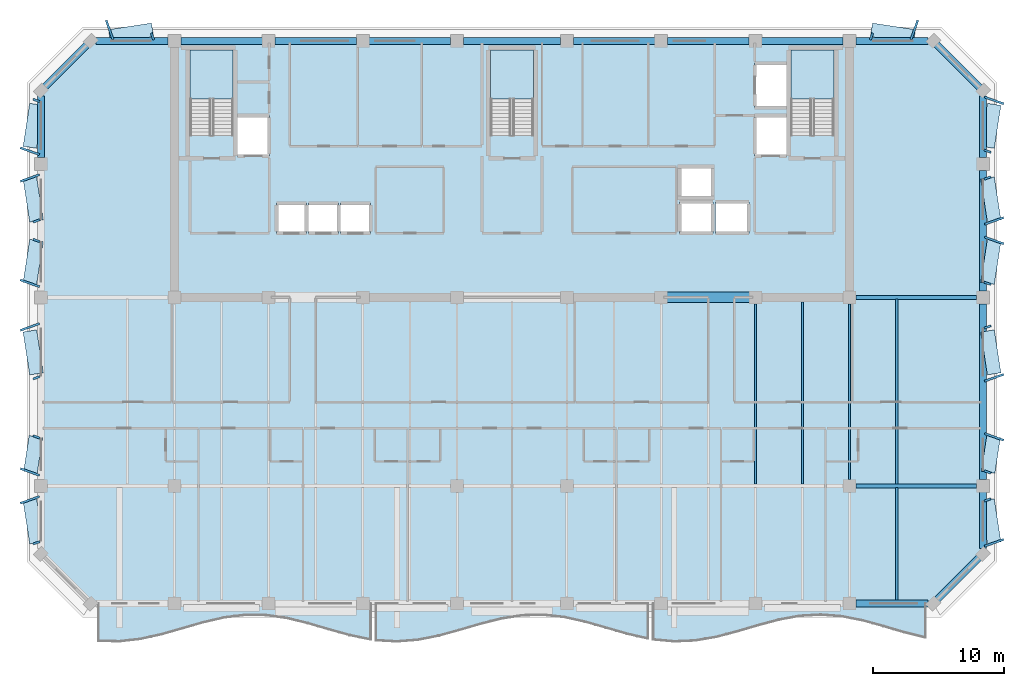
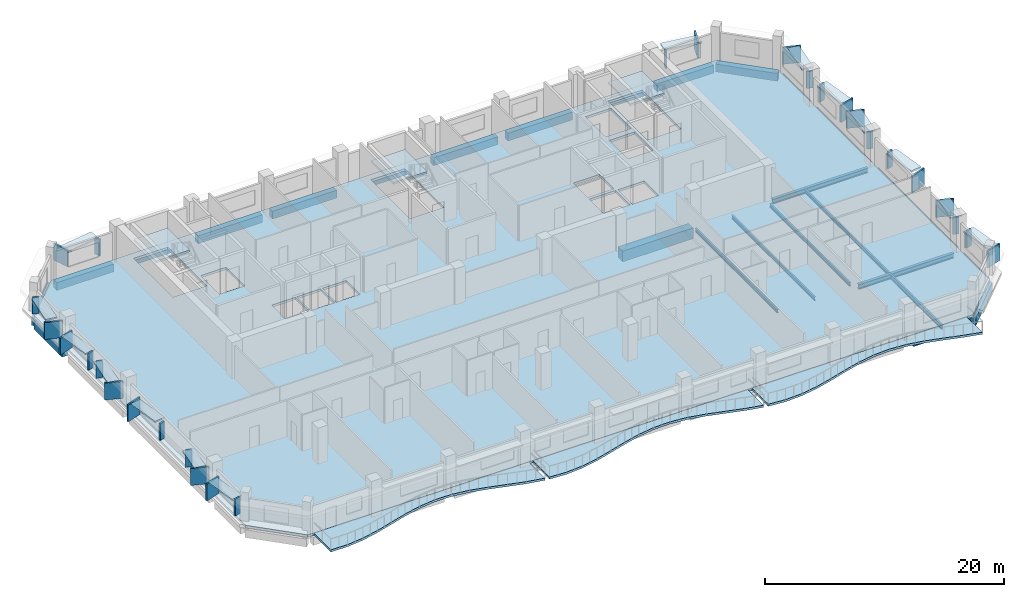
# One storey, part 2 of 11: 42 plates, 26 beams, 7 slabs, 3 elements without a shape of their own.
"""IFC4 building model written with IfcOpenShell, lengths in metres."""

from ifc_helpers import new_model, si_unit, direction, frame, origin, origin_2d, place, context, subcontext, project, spatial, polyline, rectangle, i_section, outline, extrude, material, layer, layer_set, material_profile, profile_set, type_object, element, aggregate, save


model = new_model("IFC4")

# Units and contexts
model_context = context("Model", 3, precision=1e-05, world=origin(), true_north=direction((0.0, 1.0)))
body_context = subcontext(model_context, "Body", "Model", "MODEL_VIEW")
ifc_project = project(units=[si_unit("LENGTHUNIT", "METRE"), si_unit("AREAUNIT", "SQUARE_METRE"), si_unit("VOLUMEUNIT", "CUBIC_METRE"), si_unit("PLANEANGLEUNIT", "RADIAN"), si_unit("MASSUNIT", "GRAM", prefix="KILO")], contexts=[model_context])

# Site, building, storey
site_placement = place(None, origin())
site = spatial("IfcSite", under=ifc_project, at=site_placement, CompositionType="ELEMENT")
building_placement = place(site_placement, origin())
building = spatial("IfcBuilding", under=site, at=building_placement, Name="Kaelvorn Grand Hotel", CompositionType="ELEMENT")
storey_placement = place(building_placement, frame((0.0, 0.0, 248.89990234375)))
storey = spatial("IfcBuildingStorey", under=building, at=storey_placement, Name="L61", CompositionType="ELEMENT", Elevation=248.89990234375)

# Beams
ifc_material_1 = material(Name="Steel S355", Category="steel")
ifc_material_profile_1 = material_profile(ifc_material_1, i_section(OverallWidth=0.300048828125, OverallDepth=0.5, WebThickness=0.014404296875, FlangeThickness=0.028076171875, FilletRadius=0.027099609375, at=origin_2d()), Name="HEB 500")
ifc_profile_set_1 = profile_set([ifc_material_profile_1], Name="Steel S355")
beam_type_1 = type_object("IfcBeamType", Name="BM-G-HEB500-S355", PredefinedType="BEAM", material=ifc_profile_set_1)
for number, where, z_axis, x_axis, name in (
    (1, (68.284912109375, 15.0, -0.489990234375), (1.0, 0.0, 0.0), (0.0, 1.0, 0.0), "L61 Primary Spine Steel Girder G-15 05"),
    (2, (68.284912109375, 29.39990234375, -0.489990234375), (1.0, 0.0, 0.0), (0.0, 1.0, 0.0), "L61 East Core Wing Steel Girder G-29E 01"),
):
    element("IfcBeam", number, at=place(storey_placement, frame(where, z_axis=z_axis, x_axis=x_axis)), inside=storey, type_object=beam_type_1, Name=name, PredefinedType="BEAM", context=body_context, shape_type="SweptSolid", body=[
        extrude(i_section(OverallWidth=0.300048828125, OverallDepth=0.5, WebThickness=0.014404296875, FlangeThickness=0.028076171875, FilletRadius=0.027099609375, at=origin_2d()), origin(), (0.0, 0.0, 1.0), 9.22998046875),
    ])
ifc_material_profile_2 = material_profile(ifc_material_1, i_section(OverallWidth=0.169921875, OverallDepth=0.360107421875, WebThickness=0.008056640625, FlangeThickness=0.0126953125, FilletRadius=0.01806640625, at=origin_2d()), Name="IPE 360")
ifc_profile_set_2 = profile_set([ifc_material_profile_2], Name="Steel S355")
beam_type_2 = type_object("IfcBeamType", Name="BM-J-IPE360-S355", PredefinedType="JOIST", material=ifc_profile_set_2)
beam_1_placement = place(storey_placement, frame((60.60009765625, 15.135009765625, -0.419921875), z_axis=(0.0, 1.0, 0.0), x_axis=(-1.0, 0.0, 0.0)))
element("IfcBeam", 3, at=beam_1_placement, inside=storey, type_object=beam_type_2, Name="L61 Composite Floor Joist JM-17", PredefinedType="JOIST", context=body_context, shape_type="SweptSolid", body=[
    extrude(i_section(OverallWidth=0.169921875, OverallDepth=0.360107421875, WebThickness=0.008056640625, FlangeThickness=0.0126953125, FilletRadius=0.01806640625, at=origin_2d()), origin(), (0.0, 0.0, 1.0), 13.780029296875),
])
beam_2_placement = place(storey_placement, frame((64.199951171875, 15.135009765625, -0.419921875), z_axis=(0.0, 1.0, 0.0), x_axis=(-1.0, 0.0, 0.0)))
element("IfcBeam", 4, at=beam_2_placement, inside=storey, type_object=beam_type_2, Name="L61 Composite Floor Joist JM-18", PredefinedType="JOIST", context=body_context, shape_type="SweptSolid", body=[
    extrude(i_section(OverallWidth=0.169921875, OverallDepth=0.360107421875, WebThickness=0.008056640625, FlangeThickness=0.0126953125, FilletRadius=0.01806640625, at=origin_2d()), origin(), (0.0, 0.0, 1.0), 13.925048828125),
])
beam_3_placement = place(storey_placement, frame((67.800048828125, 15.485107421875, -0.419921875), z_axis=(0.0, 1.0, 0.0), x_axis=(-1.0, 0.0, 0.0)))
element("IfcBeam", 5, at=beam_3_placement, inside=storey, type_object=beam_type_2, Name="L61 Composite Floor Joist JM-19", PredefinedType="JOIST", context=body_context, shape_type="SweptSolid", body=[
    extrude(i_section(OverallWidth=0.169921875, OverallDepth=0.360107421875, WebThickness=0.008056640625, FlangeThickness=0.0126953125, FilletRadius=0.01806640625, at=origin_2d()), origin(), (0.0, 0.0, 1.0), 13.429931640625),
])
beam_4_placement = place(storey_placement, frame((71.39990234375, 15.135009765625, -0.419921875), z_axis=(0.0, 1.0, 0.0), x_axis=(-1.0, 0.0, 0.0)))
element("IfcBeam", 6, at=beam_4_placement, inside=storey, type_object=beam_type_2, Name="L61 Composite Floor Joist JM-20", PredefinedType="JOIST", context=body_context, shape_type="SweptSolid", body=[
    extrude(i_section(OverallWidth=0.169921875, OverallDepth=0.360107421875, WebThickness=0.008056640625, FlangeThickness=0.0126953125, FilletRadius=0.01806640625, at=origin_2d()), origin(), (0.0, 0.0, 1.0), 14.1298828125),
])
ifc_material_profile_3 = material_profile(ifc_material_1, i_section(OverallWidth=0.18994140625, OverallDepth=0.449951171875, WebThickness=0.009521484375, FlangeThickness=0.0146484375, FilletRadius=0.02099609375, at=origin_2d()), Name="IPE 450")
ifc_profile_set_3 = profile_set([ifc_material_profile_3], Name="Steel S355")
beam_type_3 = type_object("IfcBeamType", Name="BM-J-IPE450-S355", PredefinedType="JOIST", material=ifc_profile_set_3)
beam_5_placement = place(storey_placement, frame((71.39990234375, 6.260009765625, -0.46484375), z_axis=(0.0, 1.0, 0.0), x_axis=(-1.0, 0.0, 0.0)))
element("IfcBeam", 7, at=beam_5_placement, inside=storey, type_object=beam_type_3, Name="L61 Composite Floor Joist JS-20", PredefinedType="JOIST", context=body_context, shape_type="SweptSolid", body=[
    extrude(i_section(OverallWidth=0.18994140625, OverallDepth=0.449951171875, WebThickness=0.009521484375, FlangeThickness=0.0146484375, FilletRadius=0.02099609375, at=origin_2d()), origin(), (0.0, 0.0, 1.0), 8.60498046875),
])
ifc_material_2 = material(Name="Concrete C60/75", Category="concrete")
ifc_material_profile_4 = material_profile(ifc_material_2, rectangle(XDim=0.800048828125, YDim=1.10009765625, at=origin_2d()), Name="RC LINTEL 800x1100")
ifc_profile_set_4 = profile_set([ifc_material_profile_4], Name="Concrete C60/75")
beam_type_4 = type_object("IfcBeamType", Name="BM-LIN-800x1100-C60", PredefinedType="LINTEL", material=ifc_profile_set_4)
beam_6_placement = place(storey_placement, frame((53.580078125, 29.39990234375, -0.789794921875), z_axis=(1.0, 0.0, 0.0), x_axis=(0.0, 1.0, 0.0)))
element("IfcBeam", 8, at=beam_6_placement, inside=storey, type_object=beam_type_4, Name="L61 Rear-Core Coupling Lintel Beam CB1-03", PredefinedType="LINTEL", context=body_context, shape_type="SweptSolid", body=[
    extrude(rectangle(XDim=0.800048828125, YDim=1.10009765625, at=origin_2d()), origin(), (0.0, 0.0, 1.0), 6.83984375),
])
ifc_material_3 = material(Name="Concrete C50/60", Category="concrete")
ifc_material_profile_5 = material_profile(ifc_material_3, rectangle(XDim=0.550048828125, YDim=0.800048828125, at=origin_2d()), Name="RC SPANDREL 550x800")
ifc_profile_set_5 = profile_set([ifc_material_profile_5], Name="Concrete C50/60")
beam_type_5 = type_object("IfcBeamType", Name="BM-SP-550x800-C50", PredefinedType="SPANDREL", material=ifc_profile_set_5)
for number, where, z_axis, x_axis, name in (
    (9, (68.284912109375, 6.0, -0.639892578125), (1.0, 0.0, 0.0), (0.0, 1.0, 0.0), "L61 South Perimeter Spandrel 09"),
    (10, (10.205078125, 49.0, -0.639892578125), (1.0, 0.0, 0.0), (0.0, 1.0, 0.0), "L61 North Perimeter Spandrel 01"),
):
    element("IfcBeam", number, at=place(storey_placement, frame(where, z_axis=z_axis, x_axis=x_axis)), inside=storey, type_object=beam_type_5, Name=name, PredefinedType="SPANDREL", context=body_context, shape_type="SweptSolid", body=[
        extrude(rectangle(XDim=0.550048828125, YDim=0.800048828125, at=origin_2d()), origin(), (0.0, 0.0, 1.0), 5.510009765625),
    ])
for number, where, z_axis, x_axis, name in (
    (11, (16.68505859375, 49.0, -0.639892578125), (1.0, 0.0, 0.0), (0.0, 1.0, 0.0), "L61 North Perimeter Spandrel 02"),
    (12, (23.885009765625, 49.0, -0.639892578125), (1.0, 0.0, 0.0), (0.0, 1.0, 0.0), "L61 North Perimeter Spandrel 03"),
    (13, (31.0849609375, 49.0, -0.639892578125), (1.0, 0.0, 0.0), (0.0, 1.0, 0.0), "L61 North Perimeter Spandrel 04"),
):
    element("IfcBeam", number, at=place(storey_placement, frame(where, z_axis=z_axis, x_axis=x_axis)), inside=storey, type_object=beam_type_5, Name=name, PredefinedType="SPANDREL", context=body_context, shape_type="SweptSolid", body=[
        extrude(rectangle(XDim=0.550048828125, YDim=0.800048828125, at=origin_2d()), origin(), (0.0, 0.0, 1.0), 6.22998046875),
    ])
beam_7_placement = place(storey_placement, frame((38.284912109375, 49.0, -0.639892578125), z_axis=(1.0, 0.0, 0.0), x_axis=(0.0, 1.0, 0.0)))
element("IfcBeam", 14, at=beam_7_placement, inside=storey, type_object=beam_type_5, Name="L61 North Perimeter Spandrel 05", PredefinedType="SPANDREL", context=body_context, shape_type="SweptSolid", body=[
    extrude(rectangle(XDim=0.550048828125, YDim=0.800048828125, at=origin_2d()), origin(), (0.0, 0.0, 1.0), 7.43017578125),
])
for number, where, z_axis, x_axis, name in (
    (15, (46.68505859375, 49.0, -0.639892578125), (1.0, 0.0, 0.0), (0.0, 1.0, 0.0), "L61 North Perimeter Spandrel 06"),
    (16, (53.885009765625, 49.0, -0.639892578125), (1.0, 0.0, 0.0), (0.0, 1.0, 0.0), "L61 North Perimeter Spandrel 07"),
    (17, (61.0849609375, 49.0, -0.639892578125), (1.0, 0.0, 0.0), (0.0, 1.0, 0.0), "L61 North Perimeter Spandrel 08"),
):
    element("IfcBeam", number, at=place(storey_placement, frame(where, z_axis=z_axis, x_axis=x_axis)), inside=storey, type_object=beam_type_5, Name=name, PredefinedType="SPANDREL", context=body_context, shape_type="SweptSolid", body=[
        extrude(rectangle(XDim=0.550048828125, YDim=0.800048828125, at=origin_2d()), origin(), (0.0, 0.0, 1.0), 6.22998046875),
    ])
beam_8_placement = place(storey_placement, frame((68.284912109375, 49.0, -0.639892578125), z_axis=(1.0, 0.0, 0.0), x_axis=(0.0, 1.0, 0.0)))
element("IfcBeam", 18, at=beam_8_placement, inside=storey, type_object=beam_type_5, Name="L61 North Perimeter Spandrel 09", PredefinedType="SPANDREL", context=body_context, shape_type="SweptSolid", body=[
    extrude(rectangle(XDim=0.550048828125, YDim=0.800048828125, at=origin_2d()), origin(), (0.0, 0.0, 1.0), 5.510009765625),
])
beam_9_placement = place(storey_placement, frame((6.0, 40.0849609375, -0.639892578125), z_axis=(0.0, 1.0, 0.0), x_axis=(-1.0, 0.0, 0.0)))
element("IfcBeam", 19, at=beam_9_placement, inside=storey, type_object=beam_type_5, Name="L61 West Perimeter Spandrel 04", PredefinedType="SPANDREL", context=body_context, shape_type="SweptSolid", body=[
    extrude(rectangle(XDim=0.550048828125, YDim=0.800048828125, at=origin_2d()), origin(), (0.0, 0.0, 1.0), 4.7099609375),
])
beam_10_placement = place(storey_placement, frame((78.0, 10.205078125, -0.639892578125), z_axis=(0.0, 1.0, 0.0), x_axis=(-1.0, 0.0, 0.0)))
element("IfcBeam", 20, at=beam_10_placement, inside=storey, type_object=beam_type_5, Name="L61 East Perimeter Spandrel 01", PredefinedType="SPANDREL", context=body_context, shape_type="SweptSolid", body=[
    extrude(rectangle(XDim=0.550048828125, YDim=0.800048828125, at=origin_2d()), origin(), (0.0, 0.0, 1.0), 4.309814453125),
])
beam_11_placement = place(storey_placement, frame((78.0, 15.485107421875, -0.639892578125), z_axis=(0.0, 1.0, 0.0), x_axis=(-1.0, 0.0, 0.0)))
element("IfcBeam", 21, at=beam_11_placement, inside=storey, type_object=beam_type_5, Name="L61 East Perimeter Spandrel 02", PredefinedType="SPANDREL", context=body_context, shape_type="SweptSolid", body=[
    extrude(rectangle(XDim=0.550048828125, YDim=0.800048828125, at=origin_2d()), origin(), (0.0, 0.0, 1.0), 13.429931640625),
])
beam_12_placement = place(storey_placement, frame((78.0, 29.885009765625, -0.639892578125), z_axis=(0.0, 1.0, 0.0), x_axis=(-1.0, 0.0, 0.0)))
element("IfcBeam", 22, at=beam_12_placement, inside=storey, type_object=beam_type_5, Name="L61 East Perimeter Spandrel 03", PredefinedType="SPANDREL", context=body_context, shape_type="SweptSolid", body=[
    extrude(rectangle(XDim=0.550048828125, YDim=0.800048828125, at=origin_2d()), origin(), (0.0, 0.0, 1.0), 9.22998046875),
])
beam_13_placement = place(storey_placement, frame((78.0, 40.0849609375, -0.639892578125), z_axis=(0.0, 1.0, 0.0), x_axis=(-1.0, 0.0, 0.0)))
element("IfcBeam", 23, at=beam_13_placement, inside=storey, type_object=beam_type_5, Name="L61 East Perimeter Spandrel 04", PredefinedType="SPANDREL", context=body_context, shape_type="SweptSolid", body=[
    extrude(rectangle(XDim=0.550048828125, YDim=0.800048828125, at=origin_2d()), origin(), (0.0, 0.0, 1.0), 4.7099609375),
])
for number, where, z_axis, x_axis, name in (
    (24, (74.199951171875, 6.0, -0.639892578125), (0.707106781187, 0.707106781187, 0.0), (-0.707106781187, 0.707106781187, 0.0), "L61 Chamfer Spandrel Beam 1"),
    (25, (78.0, 45.199951171875, -0.639892578125), (-0.707106781187, 0.707106781187, 0.0), (-0.707106781187, -0.707106781187, 0.0), "L61 Chamfer Spandrel Beam 2"),
    (26, (9.800048828125, 49.0, -0.639892578125), (-0.707106781187, -0.707106781187, 0.0), (0.707106781187, -0.707106781187, 0.0), "L61 Chamfer Spandrel Beam 3"),
):
    element("IfcBeam", number, at=place(storey_placement, frame(where, z_axis=z_axis, x_axis=x_axis)), inside=storey, type_object=beam_type_5, Name=name, PredefinedType="SPANDREL", context=body_context, shape_type="SweptSolid", body=[
        extrude(rectangle(XDim=0.550048828125, YDim=0.800048828125, at=origin_2d()), origin(), (0.0, 0.0, 1.0), 5.3740234375),
    ])

# Plates
ifc_material_4 = material(Name="Precast concrete C45/55", Category="concrete")
ifc_layer_1 = layer(ifc_material_4, 0.159912109375)
ifc_layer_set_1 = layer_set([ifc_layer_1], Name="Precast concrete C45/55")
plate_type_1 = type_object("IfcPlateType", Name="PL-FRAME-DEEP-1550", PredefinedType="USERDEFINED", material=ifc_layer_set_1)
for number, where, z_axis, x_axis, name in (
    (27, (78.844970703125, 10.64501953125, 0.740234375), (0.0, 0.0, 1.0), (-0.333806859234, 0.942641491092, 0.0), "L61 Tilted Precast Window Frame Fin L-E01"),
    (28, (78.844970703125, 18.739990234375, 0.740234375), (0.0, 0.0, 1.0), (0.333806859234, 0.942641491092, 0.0), "L61 Tilted Precast Window Frame Fin R-E02"),
    (29, (78.844970703125, 23.260009765625, 0.81494140625), (0.0, 0.0, 1.0), (-0.333806859234, 0.942641491092, 0.0), "L61 Tilted Precast Window Frame Fin L-E03"),
    (30, (78.844970703125, 33.7548828125, 0.740234375), (0.0, 0.0, 1.0), (0.333806859234, 0.942641491092, 0.0), "L61 Tilted Precast Window Frame Fin R-E04"),
    (31, (78.844970703125, 35.2451171875, 0.740234375), (0.0, 0.0, 1.0), (-0.333806859234, 0.942641491092, 0.0), "L61 Tilted Precast Window Frame Fin L-E05"),
    (32, (78.844970703125, 44.455078125, 0.81494140625), (0.0, 0.0, 1.0), (0.333806859234, 0.942641491092, 0.0), "L61 Tilted Precast Window Frame Fin R-E06"),
    (33, (5.155029296875, 13.925048828125, 0.740234375), (0.0, 0.0, 1.0), (-0.333806859234, 0.942641491092, 0.0), "L61 Tilted Precast Window Frame Fin R-W01"),
    (34, (5.155029296875, 16.06005859375, 0.740234375), (0.0, 0.0, 1.0), (0.333806859234, 0.942641491092, 0.0), "L61 Tilted Precast Window Frame Fin L-W02"),
    (35, (5.155029296875, 27.139892578125, 0.81494140625), (0.0, 0.0, 1.0), (-0.333806859234, 0.942641491092, 0.0), "L61 Tilted Precast Window Frame Fin R-W03"),
    (36, (5.155029296875, 30.47509765625, 0.740234375), (0.0, 0.0, 1.0), (0.333806859234, 0.942641491092, 0.0), "L61 Tilted Precast Window Frame Fin L-W04"),
    (37, (5.155029296875, 38.52490234375, 0.740234375), (0.0, 0.0, 1.0), (-0.333806859234, 0.942641491092, 0.0), "L61 Tilted Precast Window Frame Fin R-W05"),
    (38, (5.155029296875, 40.574951171875, 0.81494140625), (0.0, 0.0, 1.0), (0.333806859234, 0.942641491092, 0.0), "L61 Tilted Precast Window Frame Fin L-W06"),
    (39, (11.2451171875, 49.844970703125, 0.740234375), (0.0, 0.0, 1.0), (0.942641491092, 0.333806859234, 0.0), "L61 Tilted Precast Window Frame Fin L-N01"),
    (40, (72.7548828125, 49.844970703125, 0.740234375), (0.0, 0.0, 1.0), (0.942641491092, -0.333806859234, 0.0), "L61 Tilted Precast Window Frame Fin R-N02"),
):
    element("IfcPlate", number, at=place(storey_placement, frame(where, z_axis=z_axis, x_axis=x_axis)), inside=storey, type_object=plate_type_1, Name=name, ObjectType="FLANGE_PLATE", PredefinedType="USERDEFINED", context=body_context, shape_type="SweptSolid", body=[
        extrude(rectangle(XDim=0.159912109375, YDim=1.550048828125, at=origin_2d()), origin(), (0.0, 0.0, 1.0), 1.719970703125),
    ])
ifc_layer_2 = layer(ifc_material_4, 0.159912109375)
ifc_layer_set_2 = layer_set([ifc_layer_2], Name="Precast concrete C45/55")
plate_type_2 = type_object("IfcPlateType", Name="PL-FRAME-HEAD-1050", PredefinedType="USERDEFINED", material=ifc_layer_set_2)
plate_1_placement = place(storey_placement, frame((78.594970703125, 12.284912109375, 2.35009765625), z_axis=(0.0, 0.0, 1.0), x_axis=(-0.152554625759, 0.988295040036, 0.0)))
element("IfcPlate", 41, at=plate_1_placement, inside=storey, type_object=plate_type_2, Name="L61 Precast Window Frame Head Hood H-E01", ObjectType="FLANGE_PLATE", PredefinedType="USERDEFINED", context=body_context, shape_type="SweptSolid", body=[
    extrude(rectangle(XDim=3.320068359375, YDim=1.050048828125, at=origin_2d()), origin(), (0.0, 0.0, 1.0), 0.159912109375),
])
plate_2_placement = place(storey_placement, frame((78.594970703125, 17.39990234375, 2.35009765625), z_axis=(0.0, 0.0, 1.0), x_axis=(0.152554625759, 0.988295040036, 0.0)))
element("IfcPlate", 42, at=plate_2_placement, inside=storey, type_object=plate_type_2, Name="L61 Precast Window Frame Head Hood H-E02", ObjectType="FLANGE_PLATE", PredefinedType="USERDEFINED", context=body_context, shape_type="SweptSolid", body=[
    extrude(rectangle(XDim=2.760009765625, YDim=1.050048828125, at=origin_2d()), origin(), (0.0, 0.0, 1.0), 0.159912109375),
])
for number, where, z_axis, x_axis, name in (
    (43, (78.594970703125, 25.199951171875, 2.5), (0.0, 0.0, 1.0), (-0.152554625759, 0.988295040036, 0.0), "L61 Precast Window Frame Head Hood H-E03"),
    (44, (78.594970703125, 32.114990234375, 2.35009765625), (0.0, 0.0, 1.0), (0.152554625759, 0.988295040036, 0.0), "L61 Precast Window Frame Head Hood H-E04"),
    (45, (78.594970703125, 36.885009765625, 2.35009765625), (0.0, 0.0, 1.0), (-0.152554625759, 0.988295040036, 0.0), "L61 Precast Window Frame Head Hood H-E05"),
    (46, (78.594970703125, 42.514892578125, 2.5), (0.0, 0.0, 1.0), (0.152554625759, 0.988295040036, 0.0), "L61 Precast Window Frame Head Hood H-E06"),
    (47, (5.405029296875, 12.284912109375, 2.35009765625), (0.0, 0.0, 1.0), (-0.152554625759, 0.988295040036, 0.0), "L61 Precast Window Frame Head Hood H-W01"),
):
    element("IfcPlate", number, at=place(storey_placement, frame(where, z_axis=z_axis, x_axis=x_axis)), inside=storey, type_object=plate_type_2, Name=name, ObjectType="FLANGE_PLATE", PredefinedType="USERDEFINED", context=body_context, shape_type="SweptSolid", body=[
        extrude(rectangle(XDim=3.320068359375, YDim=1.050048828125, at=origin_2d()), origin(), (0.0, 0.0, 1.0), 0.159912109375),
    ])
plate_3_placement = place(storey_placement, frame((5.405029296875, 17.39990234375, 2.35009765625), z_axis=(0.0, 0.0, 1.0), x_axis=(0.152554625759, 0.988295040036, 0.0)))
element("IfcPlate", 48, at=plate_3_placement, inside=storey, type_object=plate_type_2, Name="L61 Precast Window Frame Head Hood H-W02", ObjectType="FLANGE_PLATE", PredefinedType="USERDEFINED", context=body_context, shape_type="SweptSolid", body=[
    extrude(rectangle(XDim=2.760009765625, YDim=1.050048828125, at=origin_2d()), origin(), (0.0, 0.0, 1.0), 0.159912109375),
])
for number, where, z_axis, x_axis, name in (
    (49, (5.405029296875, 25.199951171875, 2.5), (0.0, 0.0, 1.0), (-0.152554625759, 0.988295040036, 0.0), "L61 Precast Window Frame Head Hood H-W03"),
    (50, (5.405029296875, 32.114990234375, 2.35009765625), (0.0, 0.0, 1.0), (0.152554625759, 0.988295040036, 0.0), "L61 Precast Window Frame Head Hood H-W04"),
    (51, (5.405029296875, 36.885009765625, 2.35009765625), (0.0, 0.0, 1.0), (-0.152554625759, 0.988295040036, 0.0), "L61 Precast Window Frame Head Hood H-W05"),
    (52, (5.405029296875, 42.514892578125, 2.5), (0.0, 0.0, 1.0), (0.152554625759, 0.988295040036, 0.0), "L61 Precast Window Frame Head Hood H-W06"),
    (53, (12.885009765625, 49.594970703125, 2.35009765625), (0.0, 0.0, 1.0), (0.988295040036, 0.152554625759, 0.0), "L61 Precast Window Frame Head Hood H-N01"),
    (54, (71.114990234375, 49.594970703125, 2.35009765625), (0.0, 0.0, 1.0), (0.988295040036, -0.152554625759, 0.0), "L61 Precast Window Frame Head Hood H-N02"),
):
    element("IfcPlate", number, at=place(storey_placement, frame(where, z_axis=z_axis, x_axis=x_axis)), inside=storey, type_object=plate_type_2, Name=name, ObjectType="FLANGE_PLATE", PredefinedType="USERDEFINED", context=body_context, shape_type="SweptSolid", body=[
        extrude(rectangle(XDim=3.320068359375, YDim=1.050048828125, at=origin_2d()), origin(), (0.0, 0.0, 1.0), 0.159912109375),
    ])
ifc_layer_3 = layer(ifc_material_4, 0.159912109375)
ifc_layer_set_3 = layer_set([ifc_layer_3], Name="Precast concrete C45/55")
plate_type_3 = type_object("IfcPlateType", Name="PL-FRAME-SHAL-550", PredefinedType="USERDEFINED", material=ifc_layer_set_3)
for number, where, z_axis, x_axis, name in (
    (55, (78.344970703125, 13.925048828125, 0.740234375), (0.0, 0.0, 1.0), (-0.333806859234, 0.942641491092, 0.0), "L61 Tilted Precast Window Frame Fin R-E01"),
    (56, (78.344970703125, 16.06005859375, 0.740234375), (0.0, 0.0, 1.0), (0.333806859234, 0.942641491092, 0.0), "L61 Tilted Precast Window Frame Fin L-E02"),
    (57, (78.344970703125, 27.139892578125, 0.81494140625), (0.0, 0.0, 1.0), (-0.333806859234, 0.942641491092, 0.0), "L61 Tilted Precast Window Frame Fin R-E03"),
    (58, (78.344970703125, 30.47509765625, 0.740234375), (0.0, 0.0, 1.0), (0.333806859234, 0.942641491092, 0.0), "L61 Tilted Precast Window Frame Fin L-E04"),
    (59, (78.344970703125, 38.52490234375, 0.740234375), (0.0, 0.0, 1.0), (-0.333806859234, 0.942641491092, 0.0), "L61 Tilted Precast Window Frame Fin R-E05"),
    (60, (78.344970703125, 40.574951171875, 0.81494140625), (0.0, 0.0, 1.0), (0.333806859234, 0.942641491092, 0.0), "L61 Tilted Precast Window Frame Fin L-E06"),
    (61, (5.655029296875, 10.64501953125, 0.740234375), (0.0, 0.0, 1.0), (-0.333806859234, 0.942641491092, 0.0), "L61 Tilted Precast Window Frame Fin L-W01"),
    (62, (5.655029296875, 18.739990234375, 0.740234375), (0.0, 0.0, 1.0), (0.333806859234, 0.942641491092, 0.0), "L61 Tilted Precast Window Frame Fin R-W02"),
    (63, (5.655029296875, 23.260009765625, 0.81494140625), (0.0, 0.0, 1.0), (-0.333806859234, 0.942641491092, 0.0), "L61 Tilted Precast Window Frame Fin L-W03"),
    (64, (5.655029296875, 33.7548828125, 0.740234375), (0.0, 0.0, 1.0), (0.333806859234, 0.942641491092, 0.0), "L61 Tilted Precast Window Frame Fin R-W04"),
    (65, (5.655029296875, 35.2451171875, 0.740234375), (0.0, 0.0, 1.0), (-0.333806859234, 0.942641491092, 0.0), "L61 Tilted Precast Window Frame Fin L-W05"),
    (66, (5.655029296875, 44.455078125, 0.81494140625), (0.0, 0.0, 1.0), (0.333806859234, 0.942641491092, 0.0), "L61 Tilted Precast Window Frame Fin R-W06"),
    (67, (14.52490234375, 49.344970703125, 0.740234375), (0.0, 0.0, 1.0), (0.942641491092, 0.333806859234, 0.0), "L61 Tilted Precast Window Frame Fin R-N01"),
    (68, (69.47509765625, 49.344970703125, 0.740234375), (0.0, 0.0, 1.0), (0.942641491092, -0.333806859234, 0.0), "L61 Tilted Precast Window Frame Fin L-N02"),
):
    element("IfcPlate", number, at=place(storey_placement, frame(where, z_axis=z_axis, x_axis=x_axis)), inside=storey, type_object=plate_type_3, Name=name, ObjectType="FLANGE_PLATE", PredefinedType="USERDEFINED", context=body_context, shape_type="SweptSolid", body=[
        extrude(rectangle(XDim=0.159912109375, YDim=0.550048828125, at=origin_2d()), origin(), (0.0, 0.0, 1.0), 1.719970703125),
    ])

# Slabs
ifc_material_5 = material(Name="Concrete C40/50", Category="concrete")
ifc_layer_4 = layer(ifc_material_5, 0.219970703125)
ifc_layer_set_4 = layer_set([ifc_layer_4], Name="Concrete C40/50")
slab_type_1 = type_object("IfcSlabType", Name="SLB-BALC-220-C40", PredefinedType="FLOOR", material=ifc_layer_set_4)
slab_1_placement = place(storey_placement, frame((0.0, 0.0, -0.219970703125)))
element("IfcSlab", 69, at=slab_1_placement, inside=storey, type_object=slab_type_1, Name="L61 Scalloped Wave Balcony Slab 1", PredefinedType="FLOOR", context=body_context, shape_type="SweptSolid", body=[
    extrude(outline(polyline([(10.39990234375, 3.150146484375), (12.0, 3.11181640625), (13.60009765625, 3.288818359375), (15.199951171875, 3.643798828125), (16.800048828125, 4.10107421875), (18.39990234375, 4.5634765625), (20.0, 4.9326171875), (21.60009765625, 5.130126953125), (23.199951171875, 5.113525390625), (24.800048828125, 4.88671875), (26.39990234375, 4.497802734375), (28.0, 4.02978515625), (29.60009765625, 3.581787109375), (31.199951171875, 3.24951171875), (31.199951171875, 6.0), (10.39990234375, 6.0), (10.39990234375, 3.150146484375)])), origin(), (0.0, 0.0, 1.0), 0.219970703125),
])
slab_2_placement = place(storey_placement, frame((0.0, 0.0, -0.219970703125)))
element("IfcSlab", 70, at=slab_2_placement, inside=storey, type_object=slab_type_1, Name="L61 Scalloped Wave Balcony Slab 2", PredefinedType="FLOOR", context=body_context, shape_type="SweptSolid", body=[
    extrude(outline(polyline([(31.60009765625, 3.193603515625), (33.199951171875, 3.1005859375), (34.800048828125, 3.2255859375), (36.39990234375, 3.5419921875), (38.0, 3.982421875), (39.60009765625, 4.453125), (41.199951171875, 4.85400390625), (42.800048828125, 5.099853515625), (44.39990234375, 5.13818359375), (46.0, 4.961181640625), (47.60009765625, 4.606201171875), (49.199951171875, 4.14892578125), (50.800048828125, 3.6865234375), (52.39990234375, 3.3173828125), (52.39990234375, 6.0), (31.60009765625, 6.0), (31.60009765625, 3.193603515625)])), origin(), (0.0, 0.0, 1.0), 0.219970703125),
])
slab_3_placement = place(storey_placement, frame((0.0, 0.0, -0.219970703125)))
element("IfcSlab", 71, at=slab_3_placement, inside=storey, type_object=slab_type_1, Name="L61 Scalloped Wave Balcony Slab 3", PredefinedType="FLOOR", context=body_context, shape_type="SweptSolid", body=[
    extrude(outline(polyline([(52.800048828125, 3.24951171875), (54.39990234375, 3.103515625), (56.0, 3.174560546875), (57.60009765625, 3.447998046875), (59.199951171875, 3.865478515625), (60.800048828125, 4.338134765625), (62.39990234375, 4.765380859375), (64.0, 5.056396484375), (65.60009765625, 5.1494140625), (67.199951171875, 5.0244140625), (68.800048828125, 4.7080078125), (70.39990234375, 4.267578125), (72.0, 3.796875), (73.60009765625, 3.39599609375), (73.60009765625, 6.0), (52.800048828125, 6.0), (52.800048828125, 3.24951171875)])), origin(), (0.0, 0.0, 1.0), 0.219970703125),
])
ifc_layer_5 = layer(ifc_material_5, 0.239990234375)
ifc_layer_set_5 = layer_set([ifc_layer_5], Name="Concrete C40/50")
slab_type_2 = type_object("IfcSlabType", Name="SLB-FLR-240-C40", PredefinedType="FLOOR", material=ifc_layer_set_5)
slab_4_placement = place(storey_placement, frame((0.0, 0.0, -0.239990234375)))
element("IfcSlab", 72, at=slab_4_placement, inside=storey, type_object=slab_type_2, Name="L61 Indoor Suspended Floor Slab", PredefinedType="FLOOR", context=body_context, shape_type="SweptSolid", body=[
    extrude(outline(polyline([(9.800048828125, 6.0), (74.199951171875, 6.0), (78.0, 9.800048828125), (78.0, 45.199951171875), (74.199951171875, 49.0), (9.800048828125, 49.0), (6.0, 45.199951171875), (6.0, 9.800048828125), (9.800048828125, 6.0)]), holes=[polyline([(17.39990234375, 41.760009765625), (17.39990234375, 48.300048828125), (20.679931640625, 48.300048828125), (20.679931640625, 41.760009765625), (17.39990234375, 41.760009765625)]), polyline([(40.360107421875, 41.760009765625), (40.360107421875, 48.300048828125), (43.639892578125, 48.300048828125), (43.639892578125, 41.760009765625), (40.360107421875, 41.760009765625)]), polyline([(63.320068359375, 41.760009765625), (63.320068359375, 48.300048828125), (66.60009765625, 48.300048828125), (66.60009765625, 41.760009765625), (63.320068359375, 41.760009765625)]), polyline([(24.0, 34.300048828125), (24.0, 36.60009765625), (26.300048828125, 36.60009765625), (26.300048828125, 34.300048828125), (24.0, 34.300048828125)]), polyline([(26.449951171875, 34.300048828125), (26.449951171875, 36.60009765625), (28.75, 36.60009765625), (28.75, 34.300048828125), (26.449951171875, 34.300048828125)]), polyline([(28.89990234375, 34.300048828125), (28.89990234375, 36.60009765625), (31.199951171875, 36.60009765625), (31.199951171875, 34.300048828125), (28.89990234375, 34.300048828125)]), polyline([(54.800048828125, 34.300048828125), (54.800048828125, 36.699951171875), (57.35009765625, 36.699951171875), (57.35009765625, 34.300048828125), (54.800048828125, 34.300048828125)]), polyline([(57.550048828125, 34.300048828125), (57.550048828125, 36.699951171875), (60.10009765625, 36.699951171875), (60.10009765625, 34.300048828125), (57.550048828125, 34.300048828125)]), polyline([(54.800048828125, 37.0), (54.800048828125, 39.39990234375), (57.35009765625, 39.39990234375), (57.35009765625, 37.0), (54.800048828125, 37.0)]), polyline([(21.0, 40.199951171875), (21.0, 43.300048828125), (23.449951171875, 43.300048828125), (23.449951171875, 40.199951171875), (21.0, 40.199951171875)]), polyline([(60.550048828125, 40.199951171875), (60.550048828125, 43.300048828125), (63.0, 43.300048828125), (63.0, 40.199951171875), (60.550048828125, 40.199951171875)]), polyline([(60.550048828125, 43.89990234375), (60.550048828125, 47.300048828125), (63.0, 47.300048828125), (63.0, 43.89990234375), (60.550048828125, 43.89990234375)])]), origin(), (0.0, 0.0, 1.0), 0.239990234375),
])

# Stair, slab
stair_type = type_object("IfcStairType", Name="STR-DOG-1560-R09", PredefinedType="HALF_TURN_STAIR", material=ifc_material_5)
stair_1_placement = place(storey_placement, origin())
stair_1 = element("IfcStair", 73, at=stair_1_placement, inside=storey, type_object=stair_type, Name="L61 West Core Exit Stair ST1", PredefinedType="HALF_TURN_STAIR")
ifc_layer_6 = layer(ifc_material_5, 0.199951171875)
ifc_layer_set_6 = layer_set([ifc_layer_6], Name="Concrete C40/50")
slab_type_3 = type_object("IfcSlabType", Name="SLB-LAND-200-C40", PredefinedType="LANDING", material=ifc_layer_set_6)
slab_5_placement = place(storey_placement, frame((0.0, 0.0, 1.775146484375)))
slab_5 = element("IfcSlab", 74, at=slab_5_placement, type_object=slab_type_3, Name="ST1 landing 1", PredefinedType="LANDING", context=body_context, shape_type="SweptSolid", body=[
    extrude(outline(polyline([(20.679931640625, 44.56005859375), (20.679931640625, 48.300048828125), (17.39990234375, 48.300048828125), (17.39990234375, 44.56005859375), (20.679931640625, 44.56005859375)])), origin(), (0.0, 0.0, 1.0), 0.199951171875),
])
aggregate(stair_1, [slab_5])

stair_2_placement = place(storey_placement, origin())
stair_2 = element("IfcStair", 75, at=stair_2_placement, inside=storey, type_object=stair_type, Name="L61 Central Core Exit Stair ST2", PredefinedType="HALF_TURN_STAIR")
slab_6_placement = place(storey_placement, frame((0.0, 0.0, 1.775146484375)))
slab_6 = element("IfcSlab", 76, at=slab_6_placement, type_object=slab_type_3, Name="ST2 landing 1", PredefinedType="LANDING", context=body_context, shape_type="SweptSolid", body=[
    extrude(outline(polyline([(43.639892578125, 44.56005859375), (43.639892578125, 48.300048828125), (40.360107421875, 48.300048828125), (40.360107421875, 44.56005859375), (43.639892578125, 44.56005859375)])), origin(), (0.0, 0.0, 1.0), 0.199951171875),
])
aggregate(stair_2, [slab_6])

stair_3_placement = place(storey_placement, origin())
stair_3 = element("IfcStair", 77, at=stair_3_placement, inside=storey, type_object=stair_type, Name="L61 East Core Exit Stair ST3", PredefinedType="HALF_TURN_STAIR")
slab_7_placement = place(storey_placement, frame((0.0, 0.0, 1.775146484375)))
slab_7 = element("IfcSlab", 78, at=slab_7_placement, type_object=slab_type_3, Name="ST3 landing 1", PredefinedType="LANDING", context=body_context, shape_type="SweptSolid", body=[
    extrude(outline(polyline([(66.60009765625, 44.56005859375), (66.60009765625, 48.300048828125), (63.320068359375, 48.300048828125), (63.320068359375, 44.56005859375), (66.60009765625, 44.56005859375)])), origin(), (0.0, 0.0, 1.0), 0.199951171875),
])
aggregate(stair_3, [slab_7])

save(model, "model.ifc")
